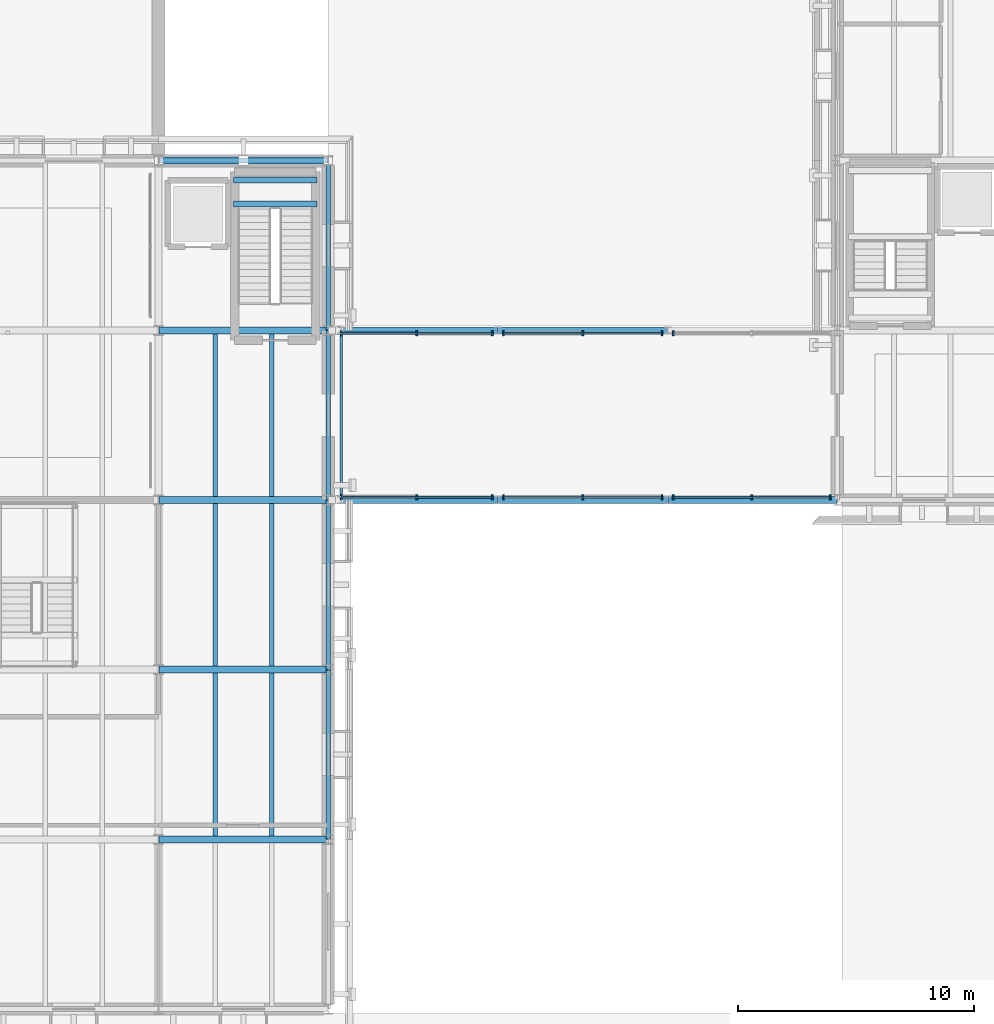
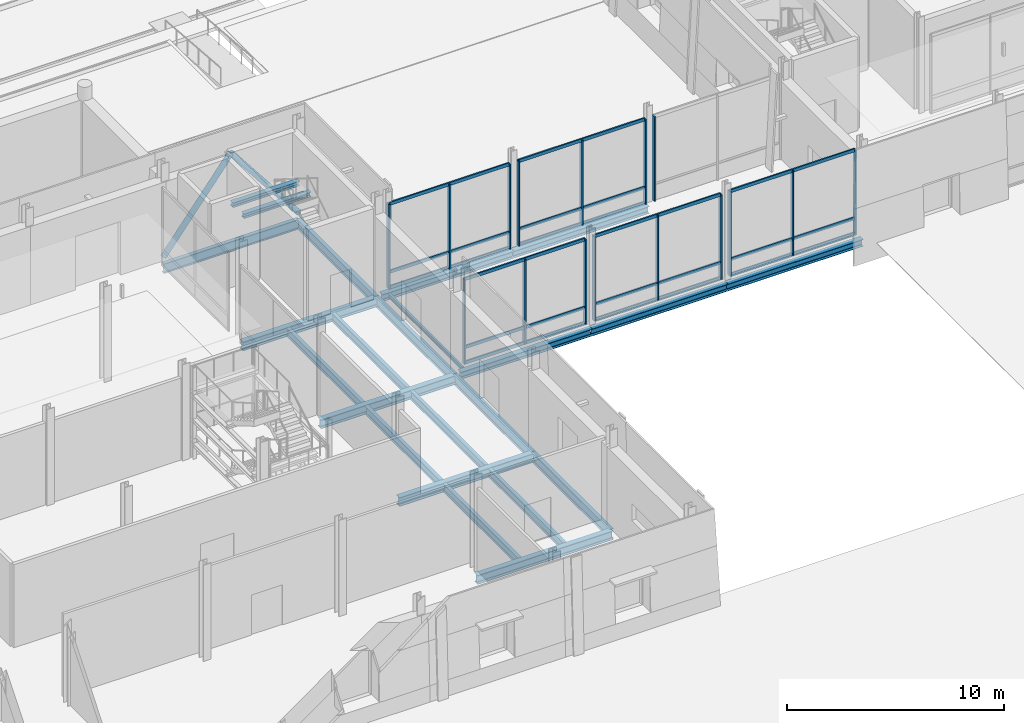
# One storey, part 35 of 120: 33 members, 23 beams, 6 elements without a shape of their own.
"""IFC4 building model written with IfcOpenShell, lengths in metres."""

from ifc_helpers import new_model, si_unit, direction, frame, origin, origin_2d, place, context, subcontext, project, spatial, rectangle, hollow_circle, i_section, extrude, material, layer, layer_set, material_profile, profile_set, type_object, element, aggregate, save


model = new_model("IFC4")

# Units and contexts
model_context = context("Model", 3, precision=1e-05, world=origin(), true_north=direction((0.0, 1.0)))
body_context = subcontext(model_context, "Body", "Model", "MODEL_VIEW")
ifc_project = project(units=[si_unit("LENGTHUNIT", "METRE"), si_unit("AREAUNIT", "SQUARE_METRE"), si_unit("VOLUMEUNIT", "CUBIC_METRE"), si_unit("PLANEANGLEUNIT", "RADIAN"), si_unit("MASSUNIT", "GRAM", prefix="KILO")], contexts=[model_context])

# Site, building, storey
site_placement = place(None, origin())
site = spatial("IfcSite", under=ifc_project, at=site_placement, CompositionType="ELEMENT")
building_placement = place(site_placement, origin())
building = spatial("IfcBuilding", under=site, at=building_placement, Name="Narikvali Park Central Library", CompositionType="ELEMENT")
storey_placement = place(building_placement, origin())
storey = spatial("IfcBuildingStorey", under=building, at=storey_placement, Name="L00", CompositionType="ELEMENT", Elevation=0.0)

# Beams
ifc_material_1 = material(Name="Steel S355", Category="steel")
ifc_material_profile_1 = material_profile(ifc_material_1, i_section(OverallWidth=0.300048828125, OverallDepth=0.389892578125, WebThickness=0.010986328125, FlangeThickness=0.01904296875, FilletRadius=0.027099609375, at=origin_2d()), Name="HEA 400")
ifc_profile_set_1 = profile_set([ifc_material_profile_1], Name="Steel S355")
beam_type_1 = type_object("IfcBeamType", Name="Colonnade Bridge Girder HEA400", PredefinedType="BEAM", material=ifc_profile_set_1)
beam_1_placement = place(storey_placement, frame((101.02001953125, 79.199951171875, -0.445068359375), z_axis=(1.0, 0.0, 0.0), x_axis=(0.0, 1.0, 0.0)))
element("IfcBeam", 1, at=beam_1_placement, inside=storey, type_object=beam_type_1, Name="BRG-3 L00 Sliding Bridge Girder 1-1", PredefinedType="BEAM", context=body_context, shape_type="SweptSolid", body=[
    extrude(i_section(OverallWidth=0.300048828125, OverallDepth=0.389892578125, WebThickness=0.010986328125, FlangeThickness=0.01904296875, FilletRadius=0.027099609375, at=origin_2d()), origin(), (0.0, 0.0, 1.0), 6.969970703125),
])
for number, where, z_axis, x_axis, name in (
    (2, (108.010009765625, 79.199951171875, -0.445068359375), (1.0, 0.0, 0.0), (0.0, 1.0, 0.0), "BRG-3 L00 Sliding Bridge Girder 1-2"),
    (3, (115.2099609375, 79.199951171875, -0.445068359375), (1.0, 0.0, 0.0), (0.0, 1.0, 0.0), "BRG-3 L00 Sliding Bridge Girder 1-3"),
):
    element("IfcBeam", number, at=place(storey_placement, frame(where, z_axis=z_axis, x_axis=x_axis)), inside=storey, type_object=beam_type_1, Name=name, PredefinedType="BEAM", context=body_context, shape_type="SweptSolid", body=[
        extrude(i_section(OverallWidth=0.300048828125, OverallDepth=0.389892578125, WebThickness=0.010986328125, FlangeThickness=0.01904296875, FilletRadius=0.027099609375, at=origin_2d()), origin(), (0.0, 0.0, 1.0), 7.179931640625),
    ])
beam_2_placement = place(storey_placement, frame((101.02001953125, 86.39990234375, -0.445068359375), z_axis=(1.0, 0.0, 0.0), x_axis=(0.0, 1.0, 0.0)))
element("IfcBeam", 4, at=beam_2_placement, inside=storey, type_object=beam_type_1, Name="BRG-3 L00 Sliding Bridge Girder 2-1", PredefinedType="BEAM", context=body_context, shape_type="SweptSolid", body=[
    extrude(i_section(OverallWidth=0.300048828125, OverallDepth=0.389892578125, WebThickness=0.010986328125, FlangeThickness=0.01904296875, FilletRadius=0.027099609375, at=origin_2d()), origin(), (0.0, 0.0, 1.0), 6.969970703125),
])
beam_3_placement = place(storey_placement, frame((108.010009765625, 86.39990234375, -0.445068359375), z_axis=(1.0, 0.0, 0.0), x_axis=(0.0, 1.0, 0.0)))
element("IfcBeam", 5, at=beam_3_placement, inside=storey, type_object=beam_type_1, Name="BRG-3 L00 Sliding Bridge Girder 2-2", PredefinedType="BEAM", context=body_context, shape_type="SweptSolid", body=[
    extrude(i_section(OverallWidth=0.300048828125, OverallDepth=0.389892578125, WebThickness=0.010986328125, FlangeThickness=0.01904296875, FilletRadius=0.027099609375, at=origin_2d()), origin(), (0.0, 0.0, 1.0), 7.179931640625),
])
ifc_material_profile_2 = material_profile(ifc_material_1, i_section(OverallWidth=0.19189453125, OverallDepth=0.4560546875, WebThickness=0.010986328125, FlangeThickness=0.017578125, FilletRadius=0.02099609375, at=origin_2d()), Name="IPEO 450")
ifc_profile_set_2 = profile_set([ifc_material_profile_2], Name="Steel S355")
beam_type_2 = type_object("IfcBeamType", Name="Concourse Floor Joist IPEO450", PredefinedType="JOIST", material=ifc_profile_set_2)
for number, where, z_axis, x_axis, name in (
    (6, (96.0, 64.949951171875, -0.548095703125), (0.0, 1.0, 0.0), (-1.0, 0.0, 0.0), "V1 L00 Composite Joist 1"),
    (7, (98.39990234375, 64.949951171875, -0.548095703125), (0.0, 1.0, 0.0), (-1.0, 0.0, 0.0), "V1 L00 Composite Joist 2"),
    (8, (96.0, 72.14990234375, -0.548095703125), (0.0, 1.0, 0.0), (-1.0, 0.0, 0.0), "V1 L00 Composite Joist 1"),
    (9, (98.39990234375, 72.14990234375, -0.548095703125), (0.0, 1.0, 0.0), (-1.0, 0.0, 0.0), "V1 L00 Composite Joist 2"),
):
    element("IfcBeam", number, at=place(storey_placement, frame(where, z_axis=z_axis, x_axis=x_axis)), inside=storey, type_object=beam_type_2, Name=name, PredefinedType="JOIST", context=body_context, shape_type="SweptSolid", body=[
        extrude(i_section(OverallWidth=0.19189453125, OverallDepth=0.4560546875, WebThickness=0.010986328125, FlangeThickness=0.017578125, FilletRadius=0.02099609375, at=origin_2d()), origin(), (0.0, 0.0, 1.0), 6.900146484375),
    ])
for number, where, z_axis, x_axis, name in (
    (10, (96.0, 79.35009765625, -0.548095703125), (0.0, 1.0, 0.0), (-1.0, 0.0, 0.0), "V1 L00 Composite Joist 1"),
    (11, (98.39990234375, 79.35009765625, -0.548095703125), (0.0, 1.0, 0.0), (-1.0, 0.0, 0.0), "V1 L00 Composite Joist 2"),
):
    element("IfcBeam", number, at=place(storey_placement, frame(where, z_axis=z_axis, x_axis=x_axis)), inside=storey, type_object=beam_type_2, Name=name, PredefinedType="JOIST", context=body_context, shape_type="SweptSolid", body=[
        extrude(i_section(OverallWidth=0.19189453125, OverallDepth=0.4560546875, WebThickness=0.010986328125, FlangeThickness=0.017578125, FilletRadius=0.02099609375, at=origin_2d()), origin(), (0.0, 0.0, 1.0), 6.89990234375),
    ])
ifc_material_profile_3 = material_profile(ifc_material_1, i_section(OverallWidth=0.260009765625, OverallDepth=0.260009765625, WebThickness=0.010009765625, FlangeThickness=0.017578125, FilletRadius=0.02392578125, at=origin_2d()), Name="HEB 260")
ifc_profile_set_3 = profile_set([ifc_material_profile_3], Name="Steel S355")
beam_type_3 = type_object("IfcBeamType", Name="Core Trimmer Girder HEB260", PredefinedType="BEAM", material=ifc_profile_set_3)
for number, where, z_axis, x_axis, name in (
    (12, (96.77001953125, 91.760009765625, 2.3701171875), (1.0, 0.0, 0.0), (0.0, 1.0, 0.0), "ST-02 L00 Landing Trimmer Beam 1-1"),
    (13, (96.77001953125, 92.780029296875, 2.3701171875), (1.0, 0.0, 0.0), (0.0, 1.0, 0.0), "ST-02 L00 Landing Trimmer Beam 1-2"),
):
    element("IfcBeam", number, at=place(storey_placement, frame(where, z_axis=z_axis, x_axis=x_axis)), inside=storey, type_object=beam_type_3, Name=name, PredefinedType="BEAM", context=body_context, shape_type="SweptSolid", body=[
        extrude(i_section(OverallWidth=0.260009765625, OverallDepth=0.260009765625, WebThickness=0.010009765625, FlangeThickness=0.017578125, FilletRadius=0.02392578125, at=origin_2d()), origin(), (0.0, 0.0, 1.0), 3.56005859375),
    ])

# Curtain wall, members
ifc_material_2 = material(Name="Anodised Bronze Aluminium", Category="aluminium")
ifc_layer = layer(ifc_material_2, 0.219970703125, Name="Anodised Bronze Aluminium")
ifc_layer_set = layer_set([ifc_layer], Name="Anodised Bronze Aluminium")
curtain_wall_type = type_object("IfcCurtainWallType", Name="Bridge Covered Passage Glazing System", PredefinedType="NOTDEFINED", material=ifc_layer_set)
curtain_wall_1_placement = place(storey_placement, origin())
curtain_wall_1 = element("IfcCurtainWall", 14, at=curtain_wall_1_placement, inside=storey, type_object=curtain_wall_type, Name="Bridge Covered Passage Glazing System CW-BRG-3-L00-S1", PredefinedType="NOTDEFINED")
ifc_material_profile_4 = material_profile(ifc_material_2, rectangle(XDim=0.074951171875, YDim=0.219970703125, at=origin_2d()), Name="CW MULLION 75x220")
ifc_profile_set_4 = profile_set([ifc_material_profile_4], Name="Anodised Bronze Aluminium")
member_type_1 = type_object("IfcMemberType", Name="Curtain Wall Heavy Mullion 75x220", PredefinedType="MULLION", material=ifc_profile_set_4)
member_1_placement = place(storey_placement, frame((101.35009765625, 79.320068359375, -0.010009765625), z_axis=(0.0, 0.0, 1.0), x_axis=(1.0, 0.0, 0.0)))
member_1 = element("IfcMember", 15, at=member_1_placement, type_object=member_type_1, Name="CW-BRG-3-L00-S1 Mullion 00", PredefinedType="MULLION", context=body_context, shape_type="SweptSolid", body=[
    extrude(rectangle(XDim=0.074951171875, YDim=0.219970703125, at=origin_2d()), origin(), (0.0, 0.0, 1.0), 4.760009765625),
])
member_2_placement = place(storey_placement, frame((104.554931640625, 79.320068359375, -0.010009765625), z_axis=(0.0, 0.0, 1.0), x_axis=(1.0, 0.0, 0.0)))
member_2 = element("IfcMember", 16, at=member_2_placement, type_object=member_type_1, Name="CW-BRG-3-L00-S1 Mullion 01", PredefinedType="MULLION", context=body_context, shape_type="SweptSolid", body=[
    extrude(rectangle(XDim=0.074951171875, YDim=0.219970703125, at=origin_2d()), origin(), (0.0, 0.0, 1.0), 4.760009765625),
])
member_3_placement = place(storey_placement, frame((107.760009765625, 79.320068359375, -0.010009765625), z_axis=(0.0, 0.0, 1.0), x_axis=(1.0, 0.0, 0.0)))
member_3 = element("IfcMember", 17, at=member_3_placement, type_object=member_type_1, Name="CW-BRG-3-L00-S1 Mullion 02", PredefinedType="MULLION", context=body_context, shape_type="SweptSolid", body=[
    extrude(rectangle(XDim=0.074951171875, YDim=0.219970703125, at=origin_2d()), origin(), (0.0, 0.0, 1.0), 4.760009765625),
])

curtain_wall_2_placement = place(storey_placement, origin())
curtain_wall_2 = element("IfcCurtainWall", 18, at=curtain_wall_2_placement, inside=storey, type_object=curtain_wall_type, Name="Bridge Covered Passage Glazing System CW-BRG-3-L00-N1", PredefinedType="NOTDEFINED")
member_4_placement = place(storey_placement, frame((101.35009765625, 86.280029296875, -0.010009765625), z_axis=(0.0, 0.0, 1.0), x_axis=(1.0, 0.0, 0.0)))
member_4 = element("IfcMember", 19, at=member_4_placement, type_object=member_type_1, Name="CW-BRG-3-L00-N1 Mullion 00", PredefinedType="MULLION", context=body_context, shape_type="SweptSolid", body=[
    extrude(rectangle(XDim=0.074951171875, YDim=0.219970703125, at=origin_2d()), origin(), (0.0, 0.0, 1.0), 4.760009765625),
])
member_5_placement = place(storey_placement, frame((104.554931640625, 86.280029296875, -0.010009765625), z_axis=(0.0, 0.0, 1.0), x_axis=(1.0, 0.0, 0.0)))
member_5 = element("IfcMember", 20, at=member_5_placement, type_object=member_type_1, Name="CW-BRG-3-L00-N1 Mullion 01", PredefinedType="MULLION", context=body_context, shape_type="SweptSolid", body=[
    extrude(rectangle(XDim=0.074951171875, YDim=0.219970703125, at=origin_2d()), origin(), (0.0, 0.0, 1.0), 4.760009765625),
])
member_6_placement = place(storey_placement, frame((107.760009765625, 86.280029296875, -0.010009765625), z_axis=(0.0, 0.0, 1.0), x_axis=(1.0, 0.0, 0.0)))
member_6 = element("IfcMember", 21, at=member_6_placement, type_object=member_type_1, Name="CW-BRG-3-L00-N1 Mullion 02", PredefinedType="MULLION", context=body_context, shape_type="SweptSolid", body=[
    extrude(rectangle(XDim=0.074951171875, YDim=0.219970703125, at=origin_2d()), origin(), (0.0, 0.0, 1.0), 4.760009765625),
])

curtain_wall_3_placement = place(storey_placement, origin())
curtain_wall_3 = element("IfcCurtainWall", 22, at=curtain_wall_3_placement, inside=storey, type_object=curtain_wall_type, Name="Bridge Covered Passage Glazing System CW-BRG-3-L00-S2", PredefinedType="NOTDEFINED")
member_7_placement = place(storey_placement, frame((108.239990234375, 79.320068359375, -0.010009765625), z_axis=(0.0, 0.0, 1.0), x_axis=(1.0, 0.0, 0.0)))
member_7 = element("IfcMember", 23, at=member_7_placement, type_object=member_type_1, Name="CW-BRG-3-L00-S2 Mullion 00", PredefinedType="MULLION", context=body_context, shape_type="SweptSolid", body=[
    extrude(rectangle(XDim=0.074951171875, YDim=0.219970703125, at=origin_2d()), origin(), (0.0, 0.0, 1.0), 4.760009765625),
])
member_8_placement = place(storey_placement, frame((111.60009765625, 79.320068359375, -0.010009765625), z_axis=(0.0, 0.0, 1.0), x_axis=(1.0, 0.0, 0.0)))
member_8 = element("IfcMember", 24, at=member_8_placement, type_object=member_type_1, Name="CW-BRG-3-L00-S2 Mullion 01", PredefinedType="MULLION", context=body_context, shape_type="SweptSolid", body=[
    extrude(rectangle(XDim=0.074951171875, YDim=0.219970703125, at=origin_2d()), origin(), (0.0, 0.0, 1.0), 4.760009765625),
])
member_9_placement = place(storey_placement, frame((114.9599609375, 79.320068359375, -0.010009765625), z_axis=(0.0, 0.0, 1.0), x_axis=(1.0, 0.0, 0.0)))
member_9 = element("IfcMember", 25, at=member_9_placement, type_object=member_type_1, Name="CW-BRG-3-L00-S2 Mullion 02", PredefinedType="MULLION", context=body_context, shape_type="SweptSolid", body=[
    extrude(rectangle(XDim=0.074951171875, YDim=0.219970703125, at=origin_2d()), origin(), (0.0, 0.0, 1.0), 4.760009765625),
])

curtain_wall_4_placement = place(storey_placement, origin())
curtain_wall_4 = element("IfcCurtainWall", 26, at=curtain_wall_4_placement, inside=storey, type_object=curtain_wall_type, Name="Bridge Covered Passage Glazing System CW-BRG-3-L00-N2", PredefinedType="NOTDEFINED")
member_10_placement = place(storey_placement, frame((108.239990234375, 86.280029296875, -0.010009765625), z_axis=(0.0, 0.0, 1.0), x_axis=(1.0, 0.0, 0.0)))
member_10 = element("IfcMember", 27, at=member_10_placement, type_object=member_type_1, Name="CW-BRG-3-L00-N2 Mullion 00", PredefinedType="MULLION", context=body_context, shape_type="SweptSolid", body=[
    extrude(rectangle(XDim=0.074951171875, YDim=0.219970703125, at=origin_2d()), origin(), (0.0, 0.0, 1.0), 4.760009765625),
])
member_11_placement = place(storey_placement, frame((111.60009765625, 86.280029296875, -0.010009765625), z_axis=(0.0, 0.0, 1.0), x_axis=(1.0, 0.0, 0.0)))
member_11 = element("IfcMember", 28, at=member_11_placement, type_object=member_type_1, Name="CW-BRG-3-L00-N2 Mullion 01", PredefinedType="MULLION", context=body_context, shape_type="SweptSolid", body=[
    extrude(rectangle(XDim=0.074951171875, YDim=0.219970703125, at=origin_2d()), origin(), (0.0, 0.0, 1.0), 4.760009765625),
])
member_12_placement = place(storey_placement, frame((114.9599609375, 86.280029296875, -0.010009765625), z_axis=(0.0, 0.0, 1.0), x_axis=(1.0, 0.0, 0.0)))
member_12 = element("IfcMember", 29, at=member_12_placement, type_object=member_type_1, Name="CW-BRG-3-L00-N2 Mullion 02", PredefinedType="MULLION", context=body_context, shape_type="SweptSolid", body=[
    extrude(rectangle(XDim=0.074951171875, YDim=0.219970703125, at=origin_2d()), origin(), (0.0, 0.0, 1.0), 4.760009765625),
])

curtain_wall_5_placement = place(storey_placement, origin())
curtain_wall_5 = element("IfcCurtainWall", 30, at=curtain_wall_5_placement, inside=storey, type_object=curtain_wall_type, Name="Bridge Covered Passage Glazing System CW-BRG-3-L00-S3", PredefinedType="NOTDEFINED")
member_13_placement = place(storey_placement, frame((115.43994140625, 79.320068359375, -0.010009765625), z_axis=(0.0, 0.0, 1.0), x_axis=(1.0, 0.0, 0.0)))
member_13 = element("IfcMember", 31, at=member_13_placement, type_object=member_type_1, Name="CW-BRG-3-L00-S3 Mullion 00", PredefinedType="MULLION", context=body_context, shape_type="SweptSolid", body=[
    extrude(rectangle(XDim=0.074951171875, YDim=0.219970703125, at=origin_2d()), origin(), (0.0, 0.0, 1.0), 4.760009765625),
])
member_14_placement = place(storey_placement, frame((118.77001953125, 79.320068359375, -0.010009765625), z_axis=(0.0, 0.0, 1.0), x_axis=(1.0, 0.0, 0.0)))
member_14 = element("IfcMember", 32, at=member_14_placement, type_object=member_type_1, Name="CW-BRG-3-L00-S3 Mullion 01", PredefinedType="MULLION", context=body_context, shape_type="SweptSolid", body=[
    extrude(rectangle(XDim=0.074951171875, YDim=0.219970703125, at=origin_2d()), origin(), (0.0, 0.0, 1.0), 4.760009765625),
])
member_15_placement = place(storey_placement, frame((122.10009765625, 79.320068359375, -0.010009765625), z_axis=(0.0, 0.0, 1.0), x_axis=(1.0, 0.0, 0.0)))
member_15 = element("IfcMember", 33, at=member_15_placement, type_object=member_type_1, Name="CW-BRG-3-L00-S3 Mullion 02", PredefinedType="MULLION", context=body_context, shape_type="SweptSolid", body=[
    extrude(rectangle(XDim=0.074951171875, YDim=0.219970703125, at=origin_2d()), origin(), (0.0, 0.0, 1.0), 4.760009765625),
])

# Curtain wall, member
curtain_wall_6_placement = place(storey_placement, origin())
curtain_wall_6 = element("IfcCurtainWall", 34, at=curtain_wall_6_placement, inside=storey, type_object=curtain_wall_type, Name="Bridge Covered Passage Glazing System CW-BRG-3-L00-N3", PredefinedType="NOTDEFINED")
member_16_placement = place(storey_placement, frame((115.43994140625, 86.280029296875, -0.010009765625), z_axis=(0.0, 0.0, 1.0), x_axis=(1.0, 0.0, 0.0)))
member_16 = element("IfcMember", 35, at=member_16_placement, type_object=member_type_1, Name="CW-BRG-3-L00-N3 Mullion 00", PredefinedType="MULLION", context=body_context, shape_type="SweptSolid", body=[
    extrude(rectangle(XDim=0.074951171875, YDim=0.219970703125, at=origin_2d()), origin(), (0.0, 0.0, 1.0), 4.760009765625),
])
aggregate(curtain_wall_6, [member_16])

# Member
ifc_material_profile_5 = material_profile(ifc_material_2, rectangle(XDim=0.074951171875, YDim=0.179931640625, at=origin_2d()), Name="CW TRANSOM 75x180")
ifc_profile_set_5 = profile_set([ifc_material_profile_5], Name="Anodised Bronze Aluminium")
member_type_2 = type_object("IfcMemberType", Name="Curtain Wall Heavy Transom 75x180", PredefinedType="USERDEFINED", material=ifc_profile_set_5)
member_17_placement = place(storey_placement, frame((101.35009765625, 79.320068359375, 0.030029296875), z_axis=(1.0, 0.0, 0.0), x_axis=(0.0, 1.0, 0.0)))
member_17 = element("IfcMember", 36, at=member_17_placement, type_object=member_type_2, Name="CW-BRG-3-L00-S1 Transom 00", ObjectType="TRANSOM", PredefinedType="USERDEFINED", context=body_context, shape_type="SweptSolid", body=[
    extrude(rectangle(XDim=0.074951171875, YDim=0.179931640625, at=origin_2d()), origin(), (0.0, 0.0, 1.0), 6.409912109375),
])

member_18_placement = place(storey_placement, frame((101.35009765625, 79.320068359375, 0.89990234375), z_axis=(1.0, 0.0, 0.0), x_axis=(0.0, 1.0, 0.0)))
member_18 = element("IfcMember", 37, at=member_18_placement, type_object=member_type_2, Name="CW-BRG-3-L00-S1 Transom 01", ObjectType="TRANSOM", PredefinedType="USERDEFINED", context=body_context, shape_type="SweptSolid", body=[
    extrude(rectangle(XDim=0.074951171875, YDim=0.179931640625, at=origin_2d()), origin(), (0.0, 0.0, 1.0), 6.409912109375),
])

member_19_placement = place(storey_placement, frame((101.35009765625, 79.320068359375, 4.719970703125), z_axis=(1.0, 0.0, 0.0), x_axis=(0.0, 1.0, 0.0)))
member_19 = element("IfcMember", 38, at=member_19_placement, type_object=member_type_2, Name="CW-BRG-3-L00-S1 Transom 02", ObjectType="TRANSOM", PredefinedType="USERDEFINED", context=body_context, shape_type="SweptSolid", body=[
    extrude(rectangle(XDim=0.074951171875, YDim=0.179931640625, at=origin_2d()), origin(), (0.0, 0.0, 1.0), 6.409912109375),
])

aggregate(curtain_wall_1, [member_1, member_2, member_3, member_17, member_18, member_19])

member_20_placement = place(storey_placement, frame((101.35009765625, 86.280029296875, 0.030029296875), z_axis=(1.0, 0.0, 0.0), x_axis=(0.0, 1.0, 0.0)))
member_20 = element("IfcMember", 39, at=member_20_placement, type_object=member_type_2, Name="CW-BRG-3-L00-N1 Transom 00", ObjectType="TRANSOM", PredefinedType="USERDEFINED", context=body_context, shape_type="SweptSolid", body=[
    extrude(rectangle(XDim=0.074951171875, YDim=0.179931640625, at=origin_2d()), origin(), (0.0, 0.0, 1.0), 6.409912109375),
])

member_21_placement = place(storey_placement, frame((101.35009765625, 86.280029296875, 0.89990234375), z_axis=(1.0, 0.0, 0.0), x_axis=(0.0, 1.0, 0.0)))
member_21 = element("IfcMember", 40, at=member_21_placement, type_object=member_type_2, Name="CW-BRG-3-L00-N1 Transom 01", ObjectType="TRANSOM", PredefinedType="USERDEFINED", context=body_context, shape_type="SweptSolid", body=[
    extrude(rectangle(XDim=0.074951171875, YDim=0.179931640625, at=origin_2d()), origin(), (0.0, 0.0, 1.0), 6.409912109375),
])

member_22_placement = place(storey_placement, frame((101.35009765625, 86.280029296875, 4.719970703125), z_axis=(1.0, 0.0, 0.0), x_axis=(0.0, 1.0, 0.0)))
member_22 = element("IfcMember", 41, at=member_22_placement, type_object=member_type_2, Name="CW-BRG-3-L00-N1 Transom 02", ObjectType="TRANSOM", PredefinedType="USERDEFINED", context=body_context, shape_type="SweptSolid", body=[
    extrude(rectangle(XDim=0.074951171875, YDim=0.179931640625, at=origin_2d()), origin(), (0.0, 0.0, 1.0), 6.409912109375),
])

aggregate(curtain_wall_2, [member_4, member_5, member_6, member_20, member_21, member_22])

member_23_placement = place(storey_placement, frame((108.239990234375, 79.320068359375, 0.030029296875), z_axis=(1.0, 0.0, 0.0), x_axis=(0.0, 1.0, 0.0)))
member_23 = element("IfcMember", 42, at=member_23_placement, type_object=member_type_2, Name="CW-BRG-3-L00-S2 Transom 00", ObjectType="TRANSOM", PredefinedType="USERDEFINED", context=body_context, shape_type="SweptSolid", body=[
    extrude(rectangle(XDim=0.074951171875, YDim=0.179931640625, at=origin_2d()), origin(), (0.0, 0.0, 1.0), 6.719970703125),
])

member_24_placement = place(storey_placement, frame((108.239990234375, 79.320068359375, 0.89990234375), z_axis=(1.0, 0.0, 0.0), x_axis=(0.0, 1.0, 0.0)))
member_24 = element("IfcMember", 43, at=member_24_placement, type_object=member_type_2, Name="CW-BRG-3-L00-S2 Transom 01", ObjectType="TRANSOM", PredefinedType="USERDEFINED", context=body_context, shape_type="SweptSolid", body=[
    extrude(rectangle(XDim=0.074951171875, YDim=0.179931640625, at=origin_2d()), origin(), (0.0, 0.0, 1.0), 6.719970703125),
])

member_25_placement = place(storey_placement, frame((108.239990234375, 79.320068359375, 4.719970703125), z_axis=(1.0, 0.0, 0.0), x_axis=(0.0, 1.0, 0.0)))
member_25 = element("IfcMember", 44, at=member_25_placement, type_object=member_type_2, Name="CW-BRG-3-L00-S2 Transom 02", ObjectType="TRANSOM", PredefinedType="USERDEFINED", context=body_context, shape_type="SweptSolid", body=[
    extrude(rectangle(XDim=0.074951171875, YDim=0.179931640625, at=origin_2d()), origin(), (0.0, 0.0, 1.0), 6.719970703125),
])

aggregate(curtain_wall_3, [member_7, member_8, member_9, member_23, member_24, member_25])

member_26_placement = place(storey_placement, frame((108.239990234375, 86.280029296875, 0.030029296875), z_axis=(1.0, 0.0, 0.0), x_axis=(0.0, 1.0, 0.0)))
member_26 = element("IfcMember", 45, at=member_26_placement, type_object=member_type_2, Name="CW-BRG-3-L00-N2 Transom 00", ObjectType="TRANSOM", PredefinedType="USERDEFINED", context=body_context, shape_type="SweptSolid", body=[
    extrude(rectangle(XDim=0.074951171875, YDim=0.179931640625, at=origin_2d()), origin(), (0.0, 0.0, 1.0), 6.719970703125),
])

member_27_placement = place(storey_placement, frame((108.239990234375, 86.280029296875, 0.89990234375), z_axis=(1.0, 0.0, 0.0), x_axis=(0.0, 1.0, 0.0)))
member_27 = element("IfcMember", 46, at=member_27_placement, type_object=member_type_2, Name="CW-BRG-3-L00-N2 Transom 01", ObjectType="TRANSOM", PredefinedType="USERDEFINED", context=body_context, shape_type="SweptSolid", body=[
    extrude(rectangle(XDim=0.074951171875, YDim=0.179931640625, at=origin_2d()), origin(), (0.0, 0.0, 1.0), 6.719970703125),
])

member_28_placement = place(storey_placement, frame((108.239990234375, 86.280029296875, 4.719970703125), z_axis=(1.0, 0.0, 0.0), x_axis=(0.0, 1.0, 0.0)))
member_28 = element("IfcMember", 47, at=member_28_placement, type_object=member_type_2, Name="CW-BRG-3-L00-N2 Transom 02", ObjectType="TRANSOM", PredefinedType="USERDEFINED", context=body_context, shape_type="SweptSolid", body=[
    extrude(rectangle(XDim=0.074951171875, YDim=0.179931640625, at=origin_2d()), origin(), (0.0, 0.0, 1.0), 6.719970703125),
])

aggregate(curtain_wall_4, [member_10, member_11, member_12, member_26, member_27, member_28])

member_29_placement = place(storey_placement, frame((115.43994140625, 79.320068359375, 0.030029296875), z_axis=(1.0, 0.0, 0.0), x_axis=(0.0, 1.0, 0.0)))
member_29 = element("IfcMember", 48, at=member_29_placement, type_object=member_type_2, Name="CW-BRG-3-L00-S3 Transom 00", ObjectType="TRANSOM", PredefinedType="USERDEFINED", context=body_context, shape_type="SweptSolid", body=[
    extrude(rectangle(XDim=0.074951171875, YDim=0.179931640625, at=origin_2d()), origin(), (0.0, 0.0, 1.0), 6.66015625),
])

member_30_placement = place(storey_placement, frame((115.43994140625, 79.320068359375, 0.89990234375), z_axis=(1.0, 0.0, 0.0), x_axis=(0.0, 1.0, 0.0)))
member_30 = element("IfcMember", 49, at=member_30_placement, type_object=member_type_2, Name="CW-BRG-3-L00-S3 Transom 01", ObjectType="TRANSOM", PredefinedType="USERDEFINED", context=body_context, shape_type="SweptSolid", body=[
    extrude(rectangle(XDim=0.074951171875, YDim=0.179931640625, at=origin_2d()), origin(), (0.0, 0.0, 1.0), 6.66015625),
])

member_31_placement = place(storey_placement, frame((115.43994140625, 79.320068359375, 4.719970703125), z_axis=(1.0, 0.0, 0.0), x_axis=(0.0, 1.0, 0.0)))
member_31 = element("IfcMember", 50, at=member_31_placement, type_object=member_type_2, Name="CW-BRG-3-L00-S3 Transom 02", ObjectType="TRANSOM", PredefinedType="USERDEFINED", context=body_context, shape_type="SweptSolid", body=[
    extrude(rectangle(XDim=0.074951171875, YDim=0.179931640625, at=origin_2d()), origin(), (0.0, 0.0, 1.0), 6.66015625),
])

aggregate(curtain_wall_5, [member_13, member_14, member_15, member_29, member_30, member_31])

# Members
ifc_material_profile_6 = material_profile(ifc_material_1, hollow_circle(Radius=0.149169921875, WallThickness=0.012451171875, at=origin_2d()), Name="CHS 298.5x12.5")
ifc_profile_set_6 = profile_set([ifc_material_profile_6], Name="Steel S355")
member_type_3 = type_object("IfcMemberType", Name="Ground Chevron Brace CHS298", PredefinedType="BRACE", material=ifc_profile_set_6)
for number, where, z_axis, x_axis, name in (
    (51, (93.614990234375, 93.60009765625, 0.014892578125), (0.61593947973, 0.0, 0.787793473767), (0.0, 1.0, 0.0), "V1 L00 Seismic Chevron Brace A"),
    (52, (100.784912109375, 93.60009765625, 0.014892578125), (-0.61593947973, 0.0, 0.787793473767), (0.0, -1.0, 0.0), "V1 L00 Seismic Chevron Brace B"),
):
    element("IfcMember", number, at=place(storey_placement, frame(where, z_axis=z_axis, x_axis=x_axis)), inside=storey, type_object=member_type_3, Name=name, PredefinedType="BRACE", context=body_context, shape_type="SweptSolid", body=[
        extrude(hollow_circle(Radius=0.149169921875, WallThickness=0.012451171875, at=origin_2d()), origin(), (0.0, 0.0, 1.0), 5.8203125),
    ])

# Beams
ifc_material_profile_7 = material_profile(ifc_material_1, i_section(OverallWidth=0.2099609375, OverallDepth=0.550048828125, WebThickness=0.010986328125, FlangeThickness=0.01708984375, FilletRadius=0.02392578125, at=origin_2d()), Name="IPE 550")
ifc_profile_set_7 = profile_set([ifc_material_profile_7], Name="Steel S355")
beam_type_4 = type_object("IfcBeamType", Name="Perimeter Spandrel IPE550", PredefinedType="SPANDREL", material=ifc_profile_set_7)
beam_4_placement = place(storey_placement, frame((93.60791015625, 93.60009765625, -0.594970703125), z_axis=(1.0, 0.0, 0.0), x_axis=(0.0, 1.0, 0.0)))
element("IfcBeam", 53, at=beam_4_placement, inside=storey, type_object=beam_type_4, Name="V1 L00 Girder X", PredefinedType="SPANDREL", context=body_context, shape_type="SweptSolid", body=[
    extrude(i_section(OverallWidth=0.2099609375, OverallDepth=0.550048828125, WebThickness=0.010986328125, FlangeThickness=0.01708984375, FilletRadius=0.02392578125, at=origin_2d()), origin(), (0.0, 0.0, 1.0), 7.18408203125),
])
for number, where, z_axis, x_axis, name in (
    (54, (100.800048828125, 64.80810546875, -0.594970703125), (0.0, 1.0, 0.0), (-1.0, 0.0, 0.0), "V1 L00 Girder Y"),
    (55, (100.800048828125, 72.008056640625, -0.594970703125), (0.0, 1.0, 0.0), (-1.0, 0.0, 0.0), "V1 L00 Girder Y"),
):
    element("IfcBeam", number, at=place(storey_placement, frame(where, z_axis=z_axis, x_axis=x_axis)), inside=storey, type_object=beam_type_4, Name=name, PredefinedType="SPANDREL", context=body_context, shape_type="SweptSolid", body=[
        extrude(i_section(OverallWidth=0.2099609375, OverallDepth=0.550048828125, WebThickness=0.010986328125, FlangeThickness=0.01708984375, FilletRadius=0.02392578125, at=origin_2d()), origin(), (0.0, 0.0, 1.0), 7.183837890625),
    ])
for number, where, z_axis, x_axis, name in (
    (56, (100.800048828125, 79.2080078125, -0.594970703125), (0.0, 1.0, 0.0), (-1.0, 0.0, 0.0), "V1 L00 Girder Y"),
    (57, (100.800048828125, 86.407958984375, -0.594970703125), (0.0, 1.0, 0.0), (-1.0, 0.0, 0.0), "V1 L00 Girder Y"),
):
    element("IfcBeam", number, at=place(storey_placement, frame(where, z_axis=z_axis, x_axis=x_axis)), inside=storey, type_object=beam_type_4, Name=name, PredefinedType="SPANDREL", context=body_context, shape_type="SweptSolid", body=[
        extrude(i_section(OverallWidth=0.2099609375, OverallDepth=0.550048828125, WebThickness=0.010986328125, FlangeThickness=0.01708984375, FilletRadius=0.02392578125, at=origin_2d()), origin(), (0.0, 0.0, 1.0), 7.18408203125),
    ])
ifc_material_profile_8 = material_profile(ifc_material_1, i_section(OverallWidth=0.110107421875, OverallDepth=0.219970703125, WebThickness=0.005859375, FlangeThickness=0.00927734375, FilletRadius=0.011962890625, at=origin_2d()), Name="IPE 220")
ifc_profile_set_8 = profile_set([ifc_material_profile_8], Name="Steel S355")
beam_type_5 = type_object("IfcBeamType", Name="Portal Steel Lintel IPE220", PredefinedType="LINTEL", material=ifc_profile_set_8)
beam_5_placement = place(storey_placement, frame((101.35009765625, 79.360107421875, -0.360107421875), z_axis=(0.0, 1.0, 0.0), x_axis=(-1.0, 0.0, 0.0)))
element("IfcBeam", 58, at=beam_5_placement, inside=storey, type_object=beam_type_5, Name="BRG-3 L00 Portal Transverse Lintel", PredefinedType="LINTEL", context=body_context, shape_type="SweptSolid", body=[
    extrude(i_section(OverallWidth=0.110107421875, OverallDepth=0.219970703125, WebThickness=0.005859375, FlangeThickness=0.00927734375, FilletRadius=0.011962890625, at=origin_2d()), origin(), (0.0, 0.0, 1.0), 6.8798828125),
])
ifc_material_profile_9 = material_profile(ifc_material_1, i_section(OverallWidth=0.300048828125, OverallDepth=0.5, WebThickness=0.014404296875, FlangeThickness=0.028076171875, FilletRadius=0.027099609375, at=origin_2d()), Name="HEB 500")
ifc_profile_set_9 = profile_set([ifc_material_profile_9], Name="Steel S355")
beam_type_6 = type_object("IfcBeamType", Name="Reading Void Girder HEB500", PredefinedType="BEAM", material=ifc_profile_set_9)
for number, where, z_axis, x_axis, name in (
    (59, (93.60791015625, 64.800048828125, -0.570068359375), (1.0, 0.0, 0.0), (0.0, 1.0, 0.0), "V1 L00 Girder X"),
    (60, (93.60791015625, 72.0, -0.570068359375), (1.0, 0.0, 0.0), (0.0, 1.0, 0.0), "V1 L00 Girder X"),
    (61, (93.60791015625, 79.199951171875, -0.570068359375), (1.0, 0.0, 0.0), (0.0, 1.0, 0.0), "V1 L00 Girder X"),
    (62, (93.60791015625, 86.39990234375, -0.570068359375), (1.0, 0.0, 0.0), (0.0, 1.0, 0.0), "V1 L00 Girder X"),
):
    element("IfcBeam", number, at=place(storey_placement, frame(where, z_axis=z_axis, x_axis=x_axis)), inside=storey, type_object=beam_type_6, Name=name, PredefinedType="BEAM", context=body_context, shape_type="SweptSolid", body=[
        extrude(i_section(OverallWidth=0.300048828125, OverallDepth=0.5, WebThickness=0.014404296875, FlangeThickness=0.028076171875, FilletRadius=0.027099609375, at=origin_2d()), origin(), (0.0, 0.0, 1.0), 7.18408203125),
    ])

save(model, "model.ifc")
